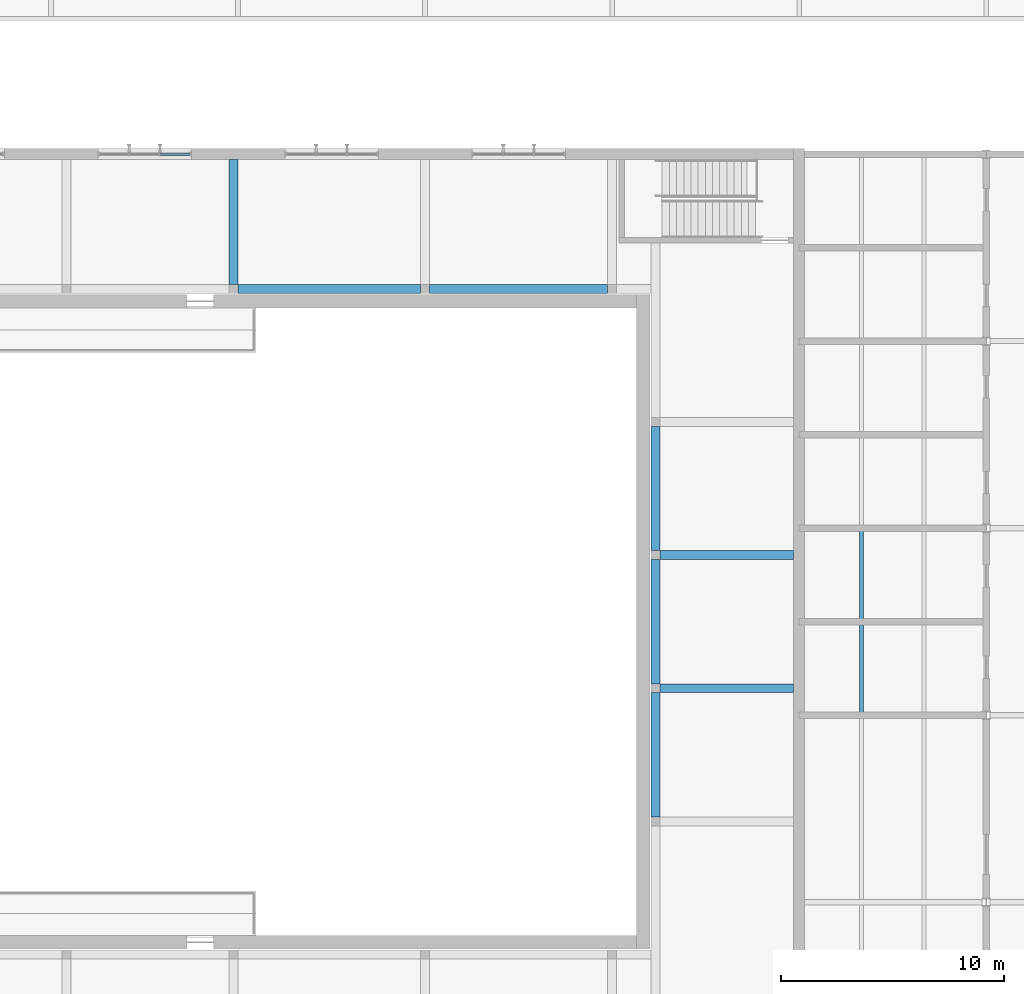
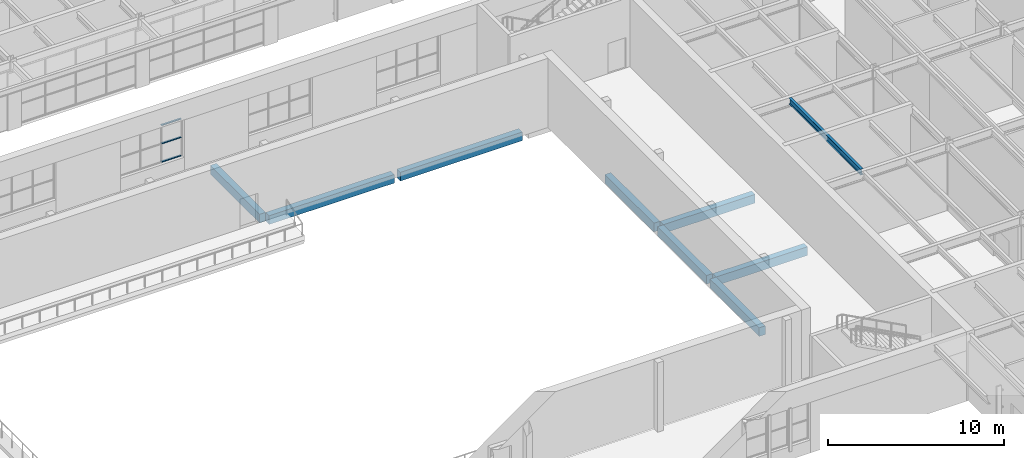
# One storey, part 45 of 116: 9 beams, 3 members, 1 element without a shape of its own.
"""IFC4 building model written with IfcOpenShell, lengths in metres."""

import ifcopenshell
import ifcopenshell.guid

model = None  # the IFC model being written
_history = None  # IfcOwnerHistory: only IFC2X3 demands one
_inside = {}  # id of a spatial element -> (the spatial element, [elements in it])
_under = {}  # id of a project, library or spatial element -> (it, [spatial elements below it])
_declared = {}  # id of a project -> (the project, [libraries it declares])
_typed = {}  # id of a type object -> (the type object, [elements of that type])
_made_of = {}  # id of a material, layer set ... -> (it, [elements and type objects made of it])


def new_model(schema):
    """Start an empty IFC model of exactly this schema.

    Asked for "IFC4X3", IfcOpenShell would pick the latest addendum, in which some entities
    have other attributes; the version numbers below select the first issue.
    IFC2X3 requires an IfcOwnerHistory on every rooted entity: one is made here for all.
    """
    global model, _history
    if schema == "IFC4X3":
        model = ifcopenshell.file(schema_version=(4, 3, 0, 0))
    else:
        model = ifcopenshell.file(schema=schema)
    _inside.clear()
    _under.clear()
    _declared.clear()
    _typed.clear()
    _made_of.clear()
    _history = None
    if model.schema == "IFC2X3":
        org = make("IfcOrganization", Name="unknown")
        user = make(
            "IfcPersonAndOrganization",
            ThePerson=make("IfcPerson", FamilyName="unknown"),
            TheOrganization=org,
        )
        app = make(
            "IfcApplication",
            ApplicationDeveloper=org,
            Version="unknown",
            ApplicationFullName="unknown",
            ApplicationIdentifier="unknown",
        )
        _history = make(
            "IfcOwnerHistory",
            OwningUser=user,
            OwningApplication=app,
            ChangeAction="ADDED",
            CreationDate=0,
        )
    return model


def make(cls, **values):
    """One entity of the class cls with the attributes given. An attribute that is None is left unset."""
    return model.create_entity(
        cls, **{name: value for name, value in values.items() if value is not None}
    )


def rooted(cls, **values):
    """An entity with a GlobalId (a new one), such as an element, a storey or a relation."""
    return make(cls, GlobalId=ifcopenshell.guid.new(), OwnerHistory=_history, **values)


def si_unit(unit_type, name, prefix=None):
    """IfcSIUnit, for example si_unit("LENGTHUNIT", "METRE", prefix="MILLI")."""
    return make("IfcSIUnit", UnitType=unit_type, Prefix=prefix, Name=name)


def assignment(units):
    """IfcUnitAssignment: the units of a project."""
    return None if units is None else make("IfcUnitAssignment", Units=units)


def point(xyz):
    """IfcCartesianPoint."""
    return None if xyz is None else make("IfcCartesianPoint", Coordinates=xyz)


def direction(xyz):
    """IfcDirection."""
    return None if xyz is None else make("IfcDirection", DirectionRatios=xyz)


def frame(location, z_axis=None, x_axis=None):
    """IfcAxis2Placement3D, a coordinate frame: its origin and axes. An axis left out is left unset."""
    return make(
        "IfcAxis2Placement3D",
        Location=point(location),
        Axis=direction(z_axis),
        RefDirection=direction(x_axis),
    )


def frame_2d(location, x_axis=None):
    """IfcAxis2Placement2D, a coordinate frame in the plane: its origin and x axis."""
    return make(
        "IfcAxis2Placement2D", Location=point(location), RefDirection=direction(x_axis)
    )


def origin():
    """The frame at (0, 0, 0) with its axes left unset."""
    return frame((0.0, 0.0, 0.0))


def origin_2d():
    """The frame at (0, 0) in the plane with its x axis left unset."""
    return frame_2d((0.0, 0.0))


def place(relative_to, where):
    """IfcLocalPlacement: puts the frame where relative to a parent placement (None: the world)."""
    return make(
        "IfcLocalPlacement", PlacementRelTo=relative_to, RelativePlacement=where
    )


def context(
    kind, dimensions, precision=None, world=None, true_north=None, identifier=None
):
    """IfcGeometricRepresentationContext, for example the 3D "Model" context."""
    return make(
        "IfcGeometricRepresentationContext",
        ContextIdentifier=identifier,
        ContextType=kind,
        CoordinateSpaceDimension=dimensions,
        Precision=precision,
        WorldCoordinateSystem=world,
        TrueNorth=true_north,
    )


def subcontext(parent, identifier, kind, view, scale=None):
    """IfcGeometricRepresentationSubContext, for example "Body" below "Model"."""
    return make(
        "IfcGeometricRepresentationSubContext",
        ContextIdentifier=identifier,
        ContextType=kind,
        ParentContext=parent,
        TargetScale=scale,
        TargetView=view,
    )


def project(units=None, contexts=None):
    """IfcProject with its units and contexts."""
    return rooted(
        "IfcProject",
        Name="project",
        RepresentationContexts=contexts,
        UnitsInContext=assignment(units),
    )


def spatial(cls, under=None, at=None, **own):
    """A site, building, storey or space (cls), placed at a placement, below another one or the project."""
    s = rooted(cls, ObjectPlacement=at, **own)
    if under is not None:
        _under.setdefault(under.id(), (under, []))[1].append(s)
    return s


def profile(cls, at=None, kind="AREA", **sizes):
    """A parametric profile (cls). Its sizes go by their IFC names, for example OverallWidth=200.0."""
    return make(cls, ProfileType=kind, Position=at, **sizes)


def rectangle(**sizes):
    """IfcRectangleProfileDef."""
    return profile("IfcRectangleProfileDef", **sizes)


def i_section(**sizes):
    """IfcIShapeProfileDef."""
    return profile("IfcIShapeProfileDef", **sizes)


def extrude(swept, where, along, depth):
    """IfcExtrudedAreaSolid: the profile swept, set in the frame where, extruded along a direction by depth."""
    return make(
        "IfcExtrudedAreaSolid",
        SweptArea=swept,
        Position=where,
        ExtrudedDirection=direction(along),
        Depth=depth,
    )


def shape(context_of_items, identifier, shape_type, items):
    """IfcShapeRepresentation: the items that make up one representation, for example the "Body"."""
    return make(
        "IfcShapeRepresentation",
        ContextOfItems=context_of_items,
        RepresentationIdentifier=identifier,
        RepresentationType=shape_type,
        Items=items,
    )


def material(Name=None, Category=None):
    """IfcMaterial."""
    return make("IfcMaterial", Name=Name, Category=Category)


def material_profile(
    of_material, cross_section, Name=None, Category=None, Priority=None
):
    """IfcMaterialProfile: a cross section and its material."""
    return make(
        "IfcMaterialProfile",
        Name=Name,
        Material=of_material,
        Profile=cross_section,
        Priority=Priority,
        Category=Category,
    )


def profile_set(profiles, Name=None, composite=None):
    """IfcMaterialProfileSet."""
    return make(
        "IfcMaterialProfileSet",
        Name=Name,
        MaterialProfiles=profiles,
        CompositeProfile=composite,
    )


def made_of(thing, what):
    """Note that an element or type object is made of a material, layer set ...; save() writes the relation."""
    if what is not None:
        _made_of.setdefault(what.id(), (what, []))[1].append(thing)
    return thing


def type_object(cls, material=None, **own):
    """A type object (cls), such as IfcWallType, which elements share."""
    return made_of(rooted(cls, **own), material)


def element(
    cls,
    number,
    at=None,
    inside=None,
    cuts=None,
    type_object=None,
    material=None,
    context=None,
    identifier="Body",
    shape_type=None,
    held_by="IfcProductDefinitionShape",
    body=None,
    shapes=None,
    **own,
):
    """One element of the class cls, such as IfcWall. Its Tag is "e" and its number.

    at: its placement. inside: the storey or other place that contains it. cuts: it is an
    opening in that element (IfcRelVoidsElement). A single representation is given by context,
    identifier, shape_type and body (its items); several are given by shapes. held_by: the class
    of the entity that holds the representations. save() writes the other relations.
    """
    e = rooted(cls, Tag="e%d" % number, ObjectPlacement=at, **own)
    if body is not None:
        shapes = [shape(context, identifier, shape_type, body)]
    if shapes is not None:
        e.Representation = make(held_by, Representations=shapes)
    if inside is not None:
        _inside.setdefault(inside.id(), (inside, []))[1].append(e)
    if cuts is not None:
        rooted(
            "IfcRelVoidsElement", RelatingBuildingElement=cuts, RelatedOpeningElement=e
        )
    if type_object is not None:
        _typed.setdefault(type_object.id(), (type_object, []))[1].append(e)
    return made_of(e, material)


def aggregate(whole, parts):
    """IfcRelAggregates: a whole, such as a stair, and the parts it consists of."""
    return rooted("IfcRelAggregates", RelatingObject=whole, RelatedObjects=parts)


def save(model, path):
    """Write the relations noted so far, then the file.

    IfcRelAggregates (storeys below a building ...), IfcRelContainedInSpatialStructure (elements
    in a storey), IfcRelDefinesByType, IfcRelAssociatesMaterial and IfcRelDeclares: one each for
    every whole, place, type object, material and project.
    """
    for whole, parts in _under.values():
        aggregate(whole, parts)
    for where, things in _inside.values():
        rooted(
            "IfcRelContainedInSpatialStructure",
            RelatedElements=things,
            RelatingStructure=where,
        )
    for kind, things in _typed.values():
        rooted("IfcRelDefinesByType", RelatedObjects=things, RelatingType=kind)
    for what, things in _made_of.values():
        rooted("IfcRelAssociatesMaterial", RelatedObjects=things, RelatingMaterial=what)
    for by, libraries in _declared.values():
        rooted("IfcRelDeclares", RelatingContext=by, RelatedDefinitions=libraries)
    model.write(path)


model = new_model("IFC4")

# Units and contexts
model_context = context("Model", 3, precision=1e-05, world=origin(), true_north=direction((0.0, 1.0)))
body_context = subcontext(model_context, "Body", "Model", "MODEL_VIEW")
ifc_project = project(units=[si_unit("LENGTHUNIT", "METRE"), si_unit("AREAUNIT", "SQUARE_METRE"), si_unit("VOLUMEUNIT", "CUBIC_METRE"), si_unit("PLANEANGLEUNIT", "RADIAN"), si_unit("MASSUNIT", "GRAM", prefix="KILO")], contexts=[model_context])

# Site, building, storey
site_placement = place(None, origin())
site = spatial("IfcSite", under=ifc_project, at=site_placement, CompositionType="ELEMENT")
building_placement = place(site_placement, origin())
building = spatial("IfcBuilding", under=site, at=building_placement, Name="Ljudholm Concert House", CompositionType="ELEMENT")
storey_placement = place(building_placement, frame((0.0, 0.0, 10.199951171875)))
storey = spatial("IfcBuildingStorey", under=building, at=storey_placement, Name="L02", CompositionType="ELEMENT", Elevation=10.199951171875)

# Beams
ifc_material_1 = material(Name="Concrete 6,500 psi", Category="concrete")
ifc_material_profile_1 = material_profile(ifc_material_1, rectangle(XDim=0.39990234375, YDim=0.60009765625, at=origin_2d()), Name="RC BEAM 400x600")
ifc_profile_set_1 = profile_set([ifc_material_profile_1], Name="Concrete 6,500 psi")
beam_type_1 = type_object("IfcBeamType", Name="RC BEAM 400x600", PredefinedType="BEAM", material=ifc_profile_set_1)
beam_1_placement = place(storey_placement, frame((71.199951171875, 90.35009765625, -0.550048828125), z_axis=(1.0, 0.0, 0.0), x_axis=(0.0, 1.0, 0.0)))
element("IfcBeam", 1, at=beam_1_placement, inside=storey, type_object=beam_type_1, Name="Ring beam", PredefinedType="BEAM", context=body_context, shape_type="SweptSolid", body=[
    extrude(rectangle(XDim=0.39990234375, YDim=0.60009765625, at=origin_2d()), origin(), (0.0, 0.0, 1.0), 8.199951171875),
])
beam_2_placement = place(storey_placement, frame((79.800048828125, 90.35009765625, -0.550048828125), z_axis=(1.0, 0.0, 0.0), x_axis=(0.0, 1.0, 0.0)))
element("IfcBeam", 2, at=beam_2_placement, inside=storey, type_object=beam_type_1, Name="Ring beam", PredefinedType="BEAM", context=body_context, shape_type="SweptSolid", body=[
    extrude(rectangle(XDim=0.39990234375, YDim=0.60009765625, at=origin_2d()), origin(), (0.0, 0.0, 1.0), 8.0),
])
beam_3_placement = place(storey_placement, frame((89.949951171875, 66.6298828125, -0.550048828125), z_axis=(0.0, 1.0, 0.0), x_axis=(-1.0, 0.0, 0.0)))
element("IfcBeam", 3, at=beam_3_placement, inside=storey, type_object=beam_type_1, Name="Ring beam", PredefinedType="BEAM", context=body_context, shape_type="SweptSolid", body=[
    extrude(rectangle(XDim=0.39990234375, YDim=0.60009765625, at=origin_2d()), origin(), (0.0, 0.0, 1.0), 5.580078125),
])
for number, where, z_axis, x_axis, name in (
    (4, (89.949951171875, 72.610107421875, -0.550048828125), (0.0, 1.0, 0.0), (-1.0, 0.0, 0.0), "Ring beam"),
    (5, (89.949951171875, 78.590087890625, -0.550048828125), (0.0, 1.0, 0.0), (-1.0, 0.0, 0.0), "Ring beam"),
):
    element("IfcBeam", number, at=place(storey_placement, frame(where, z_axis=z_axis, x_axis=x_axis)), inside=storey, type_object=beam_type_1, Name=name, PredefinedType="BEAM", context=body_context, shape_type="SweptSolid", body=[
        extrude(rectangle(XDim=0.39990234375, YDim=0.60009765625, at=origin_2d()), origin(), (0.0, 0.0, 1.0), 5.579833984375),
    ])
beam_4_placement = place(storey_placement, frame((71.0, 90.550048828125, -0.550048828125), z_axis=(0.0, 1.0, 0.0), x_axis=(-1.0, 0.0, 0.0)))
element("IfcBeam", 6, at=beam_4_placement, inside=storey, type_object=beam_type_1, Name="Ring cross beam", PredefinedType="BEAM", context=body_context, shape_type="SweptSolid", body=[
    extrude(rectangle(XDim=0.39990234375, YDim=0.60009765625, at=origin_2d()), origin(), (0.0, 0.0, 1.0), 5.599853515625),
])
for number, where, z_axis, x_axis, name in (
    (7, (90.14990234375, 72.409912109375, -0.550048828125), (1.0, 0.0, 0.0), (0.0, 1.0, 0.0), "Ring cross beam"),
    (8, (90.14990234375, 78.389892578125, -0.550048828125), (1.0, 0.0, 0.0), (0.0, 1.0, 0.0), "Ring cross beam"),
):
    element("IfcBeam", number, at=place(storey_placement, frame(where, z_axis=z_axis, x_axis=x_axis)), inside=storey, type_object=beam_type_1, Name=name, PredefinedType="BEAM", context=body_context, shape_type="SweptSolid", body=[
        extrude(rectangle(XDim=0.39990234375, YDim=0.60009765625, at=origin_2d()), origin(), (0.0, 0.0, 1.0), 6.0),
    ])
ifc_material_2 = material(Name="Steel ASTM A992", Category="steel")
ifc_material_profile_2 = material_profile(ifc_material_2, i_section(OverallWidth=0.177734375, OverallDepth=0.406494140625, WebThickness=0.0078125, FlangeThickness=0.012939453125, FilletRadius=0.01025390625, at=origin_2d()), Name="W16X40")
ifc_profile_set_2 = profile_set([ifc_material_profile_2], Name="Steel ASTM A992")
beam_type_2 = type_object("IfcBeamType", Name="STEEL BEAM W16X40", PredefinedType="BEAM", material=ifc_profile_set_2)
beam_5_placement = place(storey_placement, frame((99.199951171875, 71.314453125, 4.416748046875), z_axis=(0.0, 1.0, 0.0), x_axis=(-1.0, 0.0, 0.0)))
element("IfcBeam", 9, at=beam_5_placement, inside=storey, type_object=beam_type_2, Name="Beam BOH-ROOF-sb-99.2-71.2", PredefinedType="BEAM", context=body_context, shape_type="SweptSolid", body=[
    extrude(i_section(OverallWidth=0.177734375, OverallDepth=0.406494140625, WebThickness=0.0078125, FlangeThickness=0.012939453125, FilletRadius=0.01025390625, at=origin_2d()), origin(), (0.0, 0.0, 1.0), 8.1708984375),
])

# Curtain wall, members
ifc_material_3 = material(Name="Aluminium curtain wall with impact-rated laminated glass", Category="aluminium")
curtain_wall_type = type_object("IfcCurtainWallType", Name="CURTAIN WALL 1400", PredefinedType="NOTDEFINED", material=ifc_material_3)
curtain_wall_placement = place(storey_placement, origin())
curtain_wall = element("IfcCurtainWall", 10, at=curtain_wall_placement, inside=storey, type_object=curtain_wall_type, Name="Promenade curtain wall", PredefinedType="NOTDEFINED")
ifc_material_4 = material(Name="Aluminium extrusion", Category="aluminium")
ifc_material_profile_3 = material_profile(ifc_material_4, rectangle(XDim=0.1201171875, YDim=0.06005859375, at=origin_2d()), Name="TRANSOM 60x120")
ifc_profile_set_3 = profile_set([ifc_material_profile_3], Name="Aluminium extrusion")
member_type = type_object("IfcMemberType", Name="TRANSOM 60x120", PredefinedType="USERDEFINED", material=ifc_profile_set_3)
member_1_placement = place(storey_placement, frame((67.719970703125, 96.39990234375, 0.929931640625), z_axis=(1.0, 0.0, 0.0), x_axis=(0.0, 1.0, 0.0)))
member_1 = element("IfcMember", 11, at=member_1_placement, type_object=member_type, Name="Transom", ObjectType="TRANSOM", PredefinedType="USERDEFINED", context=body_context, shape_type="SweptSolid", body=[
    extrude(rectangle(XDim=0.1201171875, YDim=0.06005859375, at=origin_2d()), origin(), (0.0, 0.0, 1.0), 1.2900390625),
])
member_2_placement = place(storey_placement, frame((67.719970703125, 96.39990234375, 2.199951171875), z_axis=(1.0, 0.0, 0.0), x_axis=(0.0, 1.0, 0.0)))
member_2 = element("IfcMember", 12, at=member_2_placement, type_object=member_type, Name="Transom", ObjectType="TRANSOM", PredefinedType="USERDEFINED", context=body_context, shape_type="SweptSolid", body=[
    extrude(rectangle(XDim=0.1201171875, YDim=0.06005859375, at=origin_2d()), origin(), (0.0, 0.0, 1.0), 1.2900390625),
])
member_3_placement = place(storey_placement, frame((67.719970703125, 96.39990234375, 3.469970703125), z_axis=(1.0, 0.0, 0.0), x_axis=(0.0, 1.0, 0.0)))
member_3 = element("IfcMember", 13, at=member_3_placement, type_object=member_type, Name="Transom", ObjectType="TRANSOM", PredefinedType="USERDEFINED", context=body_context, shape_type="SweptSolid", body=[
    extrude(rectangle(XDim=0.1201171875, YDim=0.06005859375, at=origin_2d()), origin(), (0.0, 0.0, 1.0), 1.2900390625),
])
aggregate(curtain_wall, [member_1, member_2, member_3])

save(model, "model.ifc")
